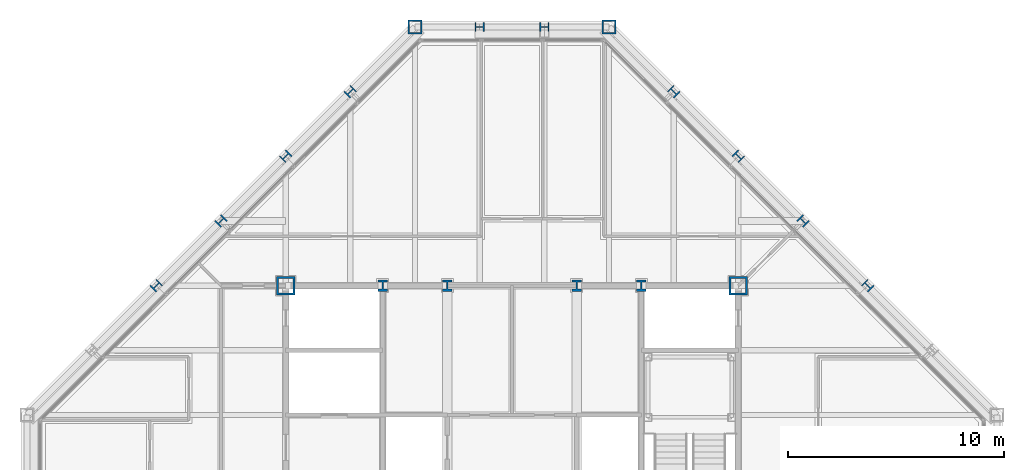
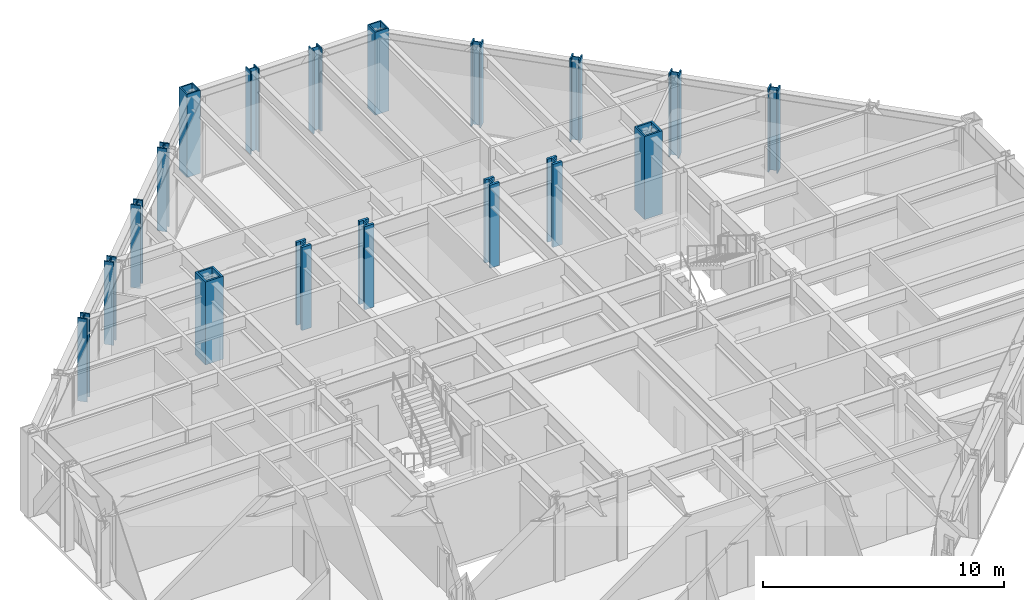
# One storey, part 4 of 15: 18 columns.
"""IFC4 building model written with IfcOpenShell, lengths in metres."""

from ifc_helpers import new_model, si_unit, direction, frame, origin, origin_2d, place, context, subcontext, project, spatial, hollow_rectangle, i_section, extrude, material, material_profile, profile_set, type_object, element, save


model = new_model("IFC4")

# Units and contexts
model_context = context("Model", 3, precision=1e-05, world=origin(), true_north=direction((0.0, 1.0)))
body_context = subcontext(model_context, "Body", "Model", "MODEL_VIEW")
ifc_project = project(units=[si_unit("LENGTHUNIT", "METRE"), si_unit("AREAUNIT", "SQUARE_METRE"), si_unit("VOLUMEUNIT", "CUBIC_METRE"), si_unit("PLANEANGLEUNIT", "RADIAN"), si_unit("MASSUNIT", "GRAM", prefix="KILO")], contexts=[model_context])

# Site, building, storey
site_placement = place(None, origin())
site = spatial("IfcSite", under=ifc_project, at=site_placement, CompositionType="ELEMENT")
building_placement = place(site_placement, origin())
building = spatial("IfcBuilding", under=site, at=building_placement, Name="Chuquiago Exchange Tower", CompositionType="ELEMENT")
storey_placement = place(building_placement, frame((0.0, 0.0, 274.800048828125)))
storey = spatial("IfcBuildingStorey", under=building, at=storey_placement, Name="L61", CompositionType="ELEMENT", Elevation=274.800048828125)

# Columns
ifc_material_1 = material(Name="Steel ASTM A992", Category="steel")
ifc_material_profile_1 = material_profile(ifc_material_1, i_section(OverallWidth=0.411376953125, OverallDepth=0.434326171875, WebThickness=0.035888671875, FlangeThickness=0.057373046875, at=origin_2d()), Name="W14X311")
ifc_profile_set_1 = profile_set([ifc_material_profile_1], Name="Steel ASTM A992")
column_type_1 = type_object("IfcColumnType", Name="C5 W14X311", PredefinedType="COLUMN", material=ifc_profile_set_1)
for number, where, z_axis, x_axis, name in (
    (1, (24.0, 45.0, 0.0), (0.0, 0.0, 1.0), (0.0, 1.0, 0.0), "COL-L61-24_45"),
    (2, (21.0, 45.0, 0.0), (0.0, 0.0, 1.0), (0.0, 1.0, 0.0), "COL-L61-21_45"),
):
    element("IfcColumn", number, at=place(storey_placement, frame(where, z_axis=z_axis, x_axis=x_axis)), inside=storey, type_object=column_type_1, Name=name, PredefinedType="COLUMN", context=body_context, shape_type="SweptSolid", body=[
        extrude(i_section(OverallWidth=0.411376953125, OverallDepth=0.434326171875, WebThickness=0.035888671875, FlangeThickness=0.057373046875, at=origin_2d()), origin(), (0.0, 0.0, 1.0), 4.199951171875),
    ])
ifc_material_2 = material(Name="Steel ASTM A992", Category="steel")
ifc_material_profile_2 = material_profile(ifc_material_2, i_section(OverallWidth=0.449462890625, OverallDepth=0.548583984375, WebThickness=0.07177734375, FlangeThickness=0.11474609375, at=origin_2d()), Name="W14X665")
ifc_profile_set_2 = profile_set([ifc_material_profile_2], Name="Steel ASTM A992")
column_type_2 = type_object("IfcColumnType", Name="CC5 W14X665", PredefinedType="COLUMN", material=ifc_profile_set_2)
for number, where, z_axis, x_axis, name in (
    (3, (16.5, 33.0, 0.0), (0.0, 0.0, 1.0), (1.0, 0.0, 0.0), "CCOL-L61-16.5_33"),
    (4, (19.5, 33.0, 0.0), (0.0, 0.0, 1.0), (1.0, 0.0, 0.0), "CCOL-L61-19.5_33"),
    (5, (25.5, 33.0, 0.0), (0.0, 0.0, 1.0), (1.0, 0.0, 0.0), "CCOL-L61-25.5_33"),
    (6, (28.5, 33.0, 0.0), (0.0, 0.0, 1.0), (1.0, 0.0, 0.0), "CCOL-L61-28.5_33"),
):
    element("IfcColumn", number, at=place(storey_placement, frame(where, z_axis=z_axis, x_axis=x_axis)), inside=storey, type_object=column_type_2, Name=name, PredefinedType="COLUMN", context=body_context, shape_type="SweptSolid", body=[
        extrude(i_section(OverallWidth=0.449462890625, OverallDepth=0.548583984375, WebThickness=0.07177734375, FlangeThickness=0.11474609375, at=origin_2d()), origin(), (0.0, 0.0, 1.0), 4.199951171875),
    ])
ifc_material_3 = material(Name="Steel ASTM A572 Grade 50", Category="steel")
ifc_material_profile_3 = material_profile(ifc_material_3, hollow_rectangle(XDim=0.85009765625, YDim=0.85009765625, WallThickness=0.0849609375, at=origin_2d()), Name="BOX850X850X85")
ifc_profile_set_3 = profile_set([ifc_material_profile_3], Name="Steel ASTM A572 Grade 50")
column_type_3 = type_object("IfcColumnType", Name="CC6 BOX850X850X85", PredefinedType="COLUMN", material=ifc_profile_set_3)
for number, where, z_axis, x_axis, name in (
    (7, (12.0, 33.0, 0.0), (0.0, 0.0, 1.0), (1.0, 0.0, 0.0), "CCOL-L61-12_33"),
    (8, (33.0, 33.0, 0.0), (0.0, 0.0, 1.0), (1.0, 0.0, 0.0), "CCOL-L61-33_33"),
):
    element("IfcColumn", number, at=place(storey_placement, frame(where, z_axis=z_axis, x_axis=x_axis)), inside=storey, type_object=column_type_3, Name=name, PredefinedType="COLUMN", context=body_context, shape_type="SweptSolid", body=[
        extrude(hollow_rectangle(XDim=0.85009765625, YDim=0.85009765625, WallThickness=0.0849609375, at=origin_2d()), origin(), (0.0, 0.0, 1.0), 4.199951171875),
    ])
ifc_material_4 = material(Name="Steel ASTM A992", Category="steel")
ifc_material_profile_4 = material_profile(ifc_material_4, i_section(OverallWidth=0.41650390625, OverallDepth=0.444580078125, WebThickness=0.0390625, FlangeThickness=0.062744140625, at=origin_2d()), Name="W14X342")
ifc_profile_set_4 = profile_set([ifc_material_profile_4], Name="Steel ASTM A992")
column_type_4 = type_object("IfcColumnType", Name="CK5 W14X342", PredefinedType="COLUMN", material=ifc_profile_set_4)
for number, where, z_axis, x_axis, name in (
    (9, (39.0, 33.0, 0.0), (0.0, 0.0, 1.0), (0.707106781187, 0.707106781187, 0.0), "COL-L61-39_33"),
    (10, (36.0, 36.0, 0.0), (0.0, 0.0, 1.0), (0.707106781187, 0.707106781187, 0.0), "COL-L61-36_36"),
    (11, (33.0, 39.0, 0.0), (0.0, 0.0, 1.0), (0.707106781187, 0.707106781187, 0.0), "COL-L61-33_39"),
    (12, (30.0, 42.0, 0.0), (0.0, 0.0, 1.0), (0.707106781187, 0.707106781187, 0.0), "COL-L61-30_42"),
    (13, (15.0, 42.0, 0.0), (0.0, 0.0, 1.0), (-0.707106781187, 0.707106781187, 0.0), "COL-L61-15_42"),
    (14, (12.0, 39.0, 0.0), (0.0, 0.0, 1.0), (-0.707106781187, 0.707106781187, 0.0), "COL-L61-12_39"),
    (15, (9.0, 36.0, 0.0), (0.0, 0.0, 1.0), (-0.707106781187, 0.707106781187, 0.0), "COL-L61-9_36"),
    (16, (6.0, 33.0, 0.0), (0.0, 0.0, 1.0), (-0.707106781187, 0.707106781187, 0.0), "COL-L61-6_33"),
):
    element("IfcColumn", number, at=place(storey_placement, frame(where, z_axis=z_axis, x_axis=x_axis)), inside=storey, type_object=column_type_4, Name=name, PredefinedType="COLUMN", context=body_context, shape_type="SweptSolid", body=[
        extrude(i_section(OverallWidth=0.41650390625, OverallDepth=0.444580078125, WebThickness=0.0390625, FlangeThickness=0.062744140625, at=origin_2d()), origin(), (0.0, 0.0, 1.0), 4.199951171875),
    ])
ifc_material_5 = material(Name="Steel ASTM A572 Grade 50", Category="steel")
ifc_material_profile_5 = material_profile(ifc_material_5, hollow_rectangle(XDim=0.64990234375, YDim=0.64990234375, WallThickness=0.06494140625, at=origin_2d()), Name="BOX650X650X65")
ifc_profile_set_5 = profile_set([ifc_material_profile_5], Name="Steel ASTM A572 Grade 50")
column_type_5 = type_object("IfcColumnType", Name="CN2 BOX650X650X65", PredefinedType="COLUMN", material=ifc_profile_set_5)
for number, where, z_axis, x_axis, name in (
    (17, (27.0, 45.0, 0.0), (0.0, 0.0, 1.0), (0.0, 1.0, 0.0), "COL-L61-27_45"),
    (18, (18.0, 45.0, 0.0), (0.0, 0.0, 1.0), (0.0, 1.0, 0.0), "COL-L61-18_45"),
):
    element("IfcColumn", number, at=place(storey_placement, frame(where, z_axis=z_axis, x_axis=x_axis)), inside=storey, type_object=column_type_5, Name=name, PredefinedType="COLUMN", context=body_context, shape_type="SweptSolid", body=[
        extrude(hollow_rectangle(XDim=0.64990234375, YDim=0.64990234375, WallThickness=0.06494140625, at=origin_2d()), origin(), (0.0, 0.0, 1.0), 4.199951171875),
    ])

save(model, "model.ifc")
